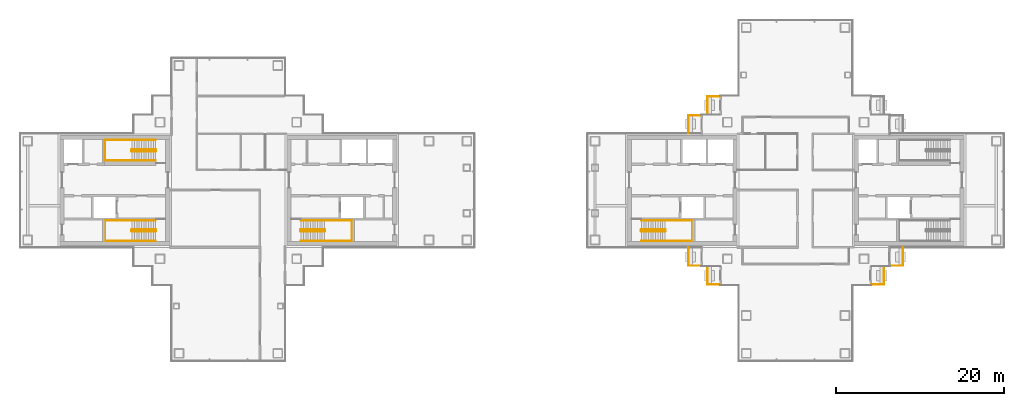
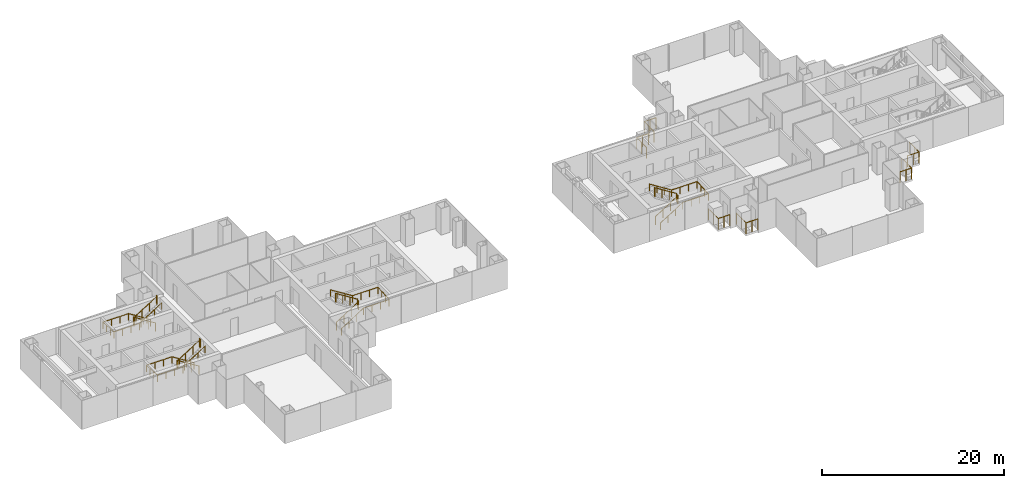
# One storey, part 14 of 16: 14 railings.
"""IFC4 building model written with IfcOpenShell, lengths in metres."""

from ifc_helpers import new_model, si_unit, direction, frame, origin, origin_2d, place, context, subcontext, project, spatial, circle, extrude, material, type_object, element, save


model = new_model("IFC4")

# Units and contexts
model_context = context("Model", 3, precision=1e-05, world=origin(), true_north=direction((0.0, 1.0)))
body_context = subcontext(model_context, "Body", "Model", "MODEL_VIEW")
ifc_project = project(units=[si_unit("LENGTHUNIT", "METRE"), si_unit("AREAUNIT", "SQUARE_METRE"), si_unit("VOLUMEUNIT", "CUBIC_METRE"), si_unit("PLANEANGLEUNIT", "RADIAN"), si_unit("MASSUNIT", "GRAM", prefix="KILO")], contexts=[model_context])

# Site, building, storey
site_placement = place(None, origin())
site = spatial("IfcSite", under=ifc_project, at=site_placement, CompositionType="ELEMENT")
building_placement = place(site_placement, origin())
building = spatial("IfcBuilding", under=site, at=building_placement, Name="Shamsa Quay Exchange Towers", CompositionType="ELEMENT")
storey_placement = place(building_placement, frame((0.0, 0.0, 138.89990234375)))
storey = spatial("IfcBuildingStorey", under=building, at=storey_placement, Name="L32", CompositionType="ELEMENT", Elevation=138.89990234375)

# Railings
ifc_material_1 = material(Name="Steel S355, black powder-coated", Category="steel")
railing_type_1 = type_object("IfcRailingType", Name="BALCONY GUARD 1500", PredefinedType="GUARDRAIL", material=ifc_material_1)
for number, where, name in (
    (1, (24.72900390625, 11.199951171875, 0.0), "Balcony guard T2-PKEN L32"),
    (2, (22.47900390625, 8.949951171875, 0.0), "Balcony guard T2-PKEN L32"),
):
    element("IfcRailing", number, at=place(storey_placement, frame(where)), inside=storey, type_object=railing_type_1, Name=name, PredefinedType="GUARDRAIL", context=body_context, shape_type="SweptSolid", body=[
        extrude(circle(Radius=0.02392578125, at=origin_2d()), frame((0.0, 0.0, 1.47607421875), z_axis=(-1.0, 0.0, 0.0), x_axis=(0.0, -1.0, 0.0)), (0.0, 0.0, 1.0), 1.47900390625),
        extrude(circle(Radius=0.02392578125, at=origin_2d()), frame((-1.47900390625, 0.0, 1.47607421875), z_axis=(0.0, -1.0, 0.0), x_axis=(1.0, 0.0, 0.0)), (0.0, 0.0, 1.0), 2.161865234375),
        extrude(circle(Radius=0.02099609375, at=origin_2d()), origin(), (0.0, 0.0, 1.0), 1.451904296875),
        extrude(circle(Radius=0.02099609375, at=origin_2d()), frame((-0.739501953125, 0.0, 0.0)), (0.0, 0.0, 1.0), 1.451904296875),
        extrude(circle(Radius=0.02099609375, at=origin_2d()), frame((-1.47900390625, 0.0, 0.0)), (0.0, 0.0, 1.0), 1.451904296875),
        extrude(circle(Radius=0.02099609375, at=origin_2d()), frame((-1.47900390625, -1.0810546875, 0.0)), (0.0, 0.0, 1.0), 1.451904296875),
        extrude(circle(Radius=0.02099609375, at=origin_2d()), frame((-1.47900390625, -2.161865234375, 0.0)), (0.0, 0.0, 1.0), 1.451904296875),
    ])
for number, where, name in (
    (3, (21.0, -6.7880859375, 0.0), "Balcony guard T2-PKWN L32"),
    (4, (23.25, -9.0380859375, 0.0), "Balcony guard T2-PKWN L32"),
):
    element("IfcRailing", number, at=place(storey_placement, frame(where)), inside=storey, type_object=railing_type_1, Name=name, PredefinedType="GUARDRAIL", context=body_context, shape_type="SweptSolid", body=[
        extrude(circle(Radius=0.02392578125, at=origin_2d()), frame((0.0, 0.0, 1.47607421875), z_axis=(0.0, -1.0, 0.0), x_axis=(1.0, 0.0, 0.0)), (0.0, 0.0, 1.0), 2.161865234375),
        extrude(circle(Radius=0.02392578125, at=origin_2d()), frame((0.0, -2.161865234375, 1.47607421875), z_axis=(1.0, 0.0, 0.0), x_axis=(0.0, 1.0, 0.0)), (0.0, 0.0, 1.0), 1.47900390625),
        extrude(circle(Radius=0.02099609375, at=origin_2d()), origin(), (0.0, 0.0, 1.0), 1.451904296875),
        extrude(circle(Radius=0.02099609375, at=origin_2d()), frame((0.0, -1.0810546875, 0.0)), (0.0, 0.0, 1.0), 1.451904296875),
        extrude(circle(Radius=0.02099609375, at=origin_2d()), frame((0.0, -2.161865234375, 0.0)), (0.0, 0.0, 1.0), 1.451904296875),
        extrude(circle(Radius=0.02099609375, at=origin_2d()), frame((0.739501953125, -2.161865234375, 0.0)), (0.0, 0.0, 1.0), 1.451904296875),
        extrude(circle(Radius=0.02099609375, at=origin_2d()), frame((1.47900390625, -2.161865234375, 0.0)), (0.0, 0.0, 1.0), 1.451904296875),
    ])
for number, where, name in (
    (5, (42.77099609375, -11.199951171875, 0.0), "Balcony guard T2-PKWS L32"),
    (6, (45.02099609375, -8.949951171875, 0.0), "Balcony guard T2-PKWS L32"),
):
    element("IfcRailing", number, at=place(storey_placement, frame(where)), inside=storey, type_object=railing_type_1, Name=name, PredefinedType="GUARDRAIL", context=body_context, shape_type="SweptSolid", body=[
        extrude(circle(Radius=0.02392578125, at=origin_2d()), frame((0.0, 0.0, 1.47607421875), z_axis=(1.0, 0.0, 0.0), x_axis=(0.0, 1.0, 0.0)), (0.0, 0.0, 1.0), 1.47900390625),
        extrude(circle(Radius=0.02392578125, at=origin_2d()), frame((1.47900390625, 0.0, 1.47607421875), z_axis=(0.0, 1.0, 0.0), x_axis=(-1.0, 0.0, 0.0)), (0.0, 0.0, 1.0), 2.161865234375),
        extrude(circle(Radius=0.02099609375, at=origin_2d()), origin(), (0.0, 0.0, 1.0), 1.451904296875),
        extrude(circle(Radius=0.02099609375, at=origin_2d()), frame((0.739501953125, 0.0, 0.0)), (0.0, 0.0, 1.0), 1.451904296875),
        extrude(circle(Radius=0.02099609375, at=origin_2d()), frame((1.47900390625, 0.0, 0.0)), (0.0, 0.0, 1.0), 1.451904296875),
        extrude(circle(Radius=0.02099609375, at=origin_2d()), frame((1.47900390625, 1.0810546875, 0.0)), (0.0, 0.0, 1.0), 1.451904296875),
        extrude(circle(Radius=0.02099609375, at=origin_2d()), frame((1.47900390625, 2.161865234375, 0.0)), (0.0, 0.0, 1.0), 1.451904296875),
    ])
ifc_material_2 = material(Name="Stainless steel", Category="steel")
railing_type_2 = type_object("IfcRailingType", Name="STAIR GUARD 1100", PredefinedType="GUARDRAIL", material=ifc_material_2)
railing_1_placement = place(storey_placement, frame((-25.10009765625, -4.89990234375, 0.177490234375)))
element("IfcRailing", 7, at=railing_1_placement, inside=storey, type_object=railing_type_2, Name="L32 ST1 stair guard 1", PredefinedType="GUARDRAIL", context=body_context, shape_type="SweptSolid", body=[
    extrude(circle(Radius=0.02392578125, at=origin_2d()), frame((0.0, 0.0, 1.076171875), z_axis=(0.844908973607, 0.0, 0.534910110503), x_axis=(0.0, 1.0, 0.0)), (0.0, 0.0, 1.0), 3.31396484375),
    extrude(circle(Radius=0.02392578125, at=origin_2d()), frame((2.800048828125, 0.0, 2.8486328125), z_axis=(0.708833529934, 0.705375805398, 0.0), x_axis=(-0.705375805398, 0.708833529934, 0.0)), (0.0, 0.0, 1.0), 0.070556640625),
    extrude(circle(Radius=0.02392578125, at=origin_2d()), frame((2.85009765625, 0.0498046875, 2.8486328125), z_axis=(0.0, 1.0, 0.0), x_axis=(-1.0, 0.0, 0.0)), (0.0, 0.0, 1.0), 0.150146484375),
    extrude(circle(Radius=0.02392578125, at=origin_2d()), frame((2.85009765625, 0.199951171875, 2.8486328125), z_axis=(-0.262233686654, 0.262233686654, 0.928691007369), x_axis=(-0.707106781187, -0.707106781187, 0.0)), (0.0, 0.0, 1.0), 0.19091796875),
    extrude(circle(Radius=0.02392578125, at=origin_2d()), frame((2.800048828125, 0.25, 3.02587890625), z_axis=(-0.844908973607, 0.0, 0.534910110503), x_axis=(0.0, -1.0, 0.0)), (0.0, 0.0, 1.0), 3.31396484375),
    extrude(circle(Radius=0.02392578125, at=origin_2d()), frame((0.0, 0.25, 4.798828125), z_axis=(-0.24142163986, -0.970420317083, 0.0), x_axis=(0.970420317083, -0.24142163986, 0.0)), (0.0, 0.0, 1.0), 0.206298828125),
    extrude(circle(Radius=0.02392578125, at=origin_2d()), frame((-0.0498046875, 0.0498046875, 4.798828125), z_axis=(0.0, 1.0, 0.0), x_axis=(-1.0, 0.0, 0.0)), (0.0, 0.0, 1.0), 0.150146484375),
    extrude(circle(Radius=0.02099609375, at=origin_2d()), origin(), (0.0, 0.0, 1.0), 1.052001953125),
    extrude(circle(Radius=0.02099609375, at=origin_2d()), frame((0.933349609375, 0.0, 0.5908203125)), (0.0, 0.0, 1.0), 1.052001953125),
    extrude(circle(Radius=0.02099609375, at=origin_2d()), frame((1.86669921875, 0.0, 1.181884765625)), (0.0, 0.0, 1.0), 1.052001953125),
    extrude(circle(Radius=0.02099609375, at=origin_2d()), frame((2.800048828125, 0.0, 1.772705078125)), (0.0, 0.0, 1.0), 1.052001953125),
    extrude(circle(Radius=0.02099609375, at=origin_2d()), frame((2.85009765625, 0.0498046875, 1.772705078125)), (0.0, 0.0, 1.0), 1.052001953125),
    extrude(circle(Radius=0.02099609375, at=origin_2d()), frame((2.85009765625, 0.199951171875, 1.772705078125)), (0.0, 0.0, 1.0), 1.052001953125),
    extrude(circle(Radius=0.02099609375, at=origin_2d()), frame((2.800048828125, 0.25, 1.949951171875)), (0.0, 0.0, 1.0), 1.052001953125),
    extrude(circle(Radius=0.02099609375, at=origin_2d()), frame((1.86669921875, 0.25, 2.540771484375)), (0.0, 0.0, 1.0), 1.052001953125),
    extrude(circle(Radius=0.02099609375, at=origin_2d()), frame((0.933349609375, 0.25, 3.1318359375)), (0.0, 0.0, 1.0), 1.052001953125),
    extrude(circle(Radius=0.02099609375, at=origin_2d()), frame((0.0, 0.25, 3.72265625)), (0.0, 0.0, 1.0), 1.052001953125),
    extrude(circle(Radius=0.02099609375, at=origin_2d()), frame((-0.0498046875, 0.0498046875, 3.72265625)), (0.0, 0.0, 1.0), 1.052001953125),
    extrude(circle(Radius=0.02099609375, at=origin_2d()), frame((-0.0498046875, 0.199951171875, 3.72265625)), (0.0, 0.0, 1.0), 1.052001953125),
])
railing_2_placement = place(storey_placement, frame((-42.39990234375, -4.64990234375, 0.177490234375)))
element("IfcRailing", 8, at=railing_2_placement, inside=storey, type_object=railing_type_2, Name="L32 ST2 stair guard 1", PredefinedType="GUARDRAIL", context=body_context, shape_type="SweptSolid", body=[
    extrude(circle(Radius=0.02392578125, at=origin_2d()), frame((0.0, 0.0, 1.076171875), z_axis=(-0.844908973607, 0.0, 0.534910110503), x_axis=(0.0, -1.0, 0.0)), (0.0, 0.0, 1.0), 3.31396484375),
    extrude(circle(Radius=0.02392578125, at=origin_2d()), frame((-2.800048828125, 0.0, 2.8486328125), z_axis=(-0.707106781187, -0.707106781187, 0.0), x_axis=(0.707106781187, -0.707106781187, 0.0)), (0.0, 0.0, 1.0), 0.07080078125),
    extrude(circle(Radius=0.02392578125, at=origin_2d()), frame((-2.85009765625, -0.050048828125, 2.8486328125), z_axis=(0.0, -1.0, 0.0), x_axis=(1.0, 0.0, 0.0)), (0.0, 0.0, 1.0), 0.150146484375),
    extrude(circle(Radius=0.02392578125, at=origin_2d()), frame((-2.85009765625, -0.2001953125, 2.8486328125), z_axis=(0.262321481514, -0.261041864531, 0.929001929653), x_axis=(0.705375805398, 0.708833529934, 0.0)), (0.0, 0.0, 1.0), 0.190673828125),
    extrude(circle(Radius=0.02392578125, at=origin_2d()), frame((-2.800048828125, -0.25, 3.02587890625), z_axis=(0.844908973607, 0.0, 0.534910110503), x_axis=(0.0, 1.0, 0.0)), (0.0, 0.0, 1.0), 3.31396484375),
    extrude(circle(Radius=0.02392578125, at=origin_2d()), frame((0.0, -0.25, 4.798828125), z_axis=(0.241699205484, 0.970351222016, 0.0), x_axis=(-0.970351222016, 0.241699205484, 0.0)), (0.0, 0.0, 1.0), 0.2060546875),
    extrude(circle(Radius=0.02392578125, at=origin_2d()), frame((0.0498046875, -0.050048828125, 4.798828125), z_axis=(0.0, -1.0, 0.0), x_axis=(1.0, 0.0, 0.0)), (0.0, 0.0, 1.0), 0.150146484375),
    extrude(circle(Radius=0.02099609375, at=origin_2d()), origin(), (0.0, 0.0, 1.0), 1.052001953125),
    extrude(circle(Radius=0.02099609375, at=origin_2d()), frame((-0.933349609375, 0.0, 0.5908203125)), (0.0, 0.0, 1.0), 1.052001953125),
    extrude(circle(Radius=0.02099609375, at=origin_2d()), frame((-1.86669921875, 0.0, 1.181884765625)), (0.0, 0.0, 1.0), 1.052001953125),
    extrude(circle(Radius=0.02099609375, at=origin_2d()), frame((-2.800048828125, 0.0, 1.772705078125)), (0.0, 0.0, 1.0), 1.052001953125),
    extrude(circle(Radius=0.02099609375, at=origin_2d()), frame((-2.85009765625, -0.050048828125, 1.772705078125)), (0.0, 0.0, 1.0), 1.052001953125),
    extrude(circle(Radius=0.02099609375, at=origin_2d()), frame((-2.85009765625, -0.2001953125, 1.772705078125)), (0.0, 0.0, 1.0), 1.052001953125),
    extrude(circle(Radius=0.02099609375, at=origin_2d()), frame((-2.800048828125, -0.25, 1.949951171875)), (0.0, 0.0, 1.0), 1.052001953125),
    extrude(circle(Radius=0.02099609375, at=origin_2d()), frame((-1.86669921875, -0.25, 2.540771484375)), (0.0, 0.0, 1.0), 1.052001953125),
    extrude(circle(Radius=0.02099609375, at=origin_2d()), frame((-0.933349609375, -0.25, 3.1318359375)), (0.0, 0.0, 1.0), 1.052001953125),
    extrude(circle(Radius=0.02099609375, at=origin_2d()), frame((0.0, -0.25, 3.72265625)), (0.0, 0.0, 1.0), 1.052001953125),
    extrude(circle(Radius=0.02099609375, at=origin_2d()), frame((0.0498046875, -0.050048828125, 3.72265625)), (0.0, 0.0, 1.0), 1.052001953125),
    extrude(circle(Radius=0.02099609375, at=origin_2d()), frame((0.0498046875, -0.2001953125, 3.72265625)), (0.0, 0.0, 1.0), 1.052001953125),
])
railing_3_placement = place(storey_placement, frame((-42.39990234375, 4.89990234375, 0.177490234375)))
element("IfcRailing", 9, at=railing_3_placement, inside=storey, type_object=railing_type_2, Name="L32 ST3 stair guard 1", PredefinedType="GUARDRAIL", context=body_context, shape_type="SweptSolid", body=[
    extrude(circle(Radius=0.02392578125, at=origin_2d()), frame((0.0, 0.0, 1.076171875), z_axis=(-0.844908973607, 0.0, 0.534910110503), x_axis=(0.0, -1.0, 0.0)), (0.0, 0.0, 1.0), 3.31396484375),
    extrude(circle(Radius=0.02392578125, at=origin_2d()), frame((-2.800048828125, 0.0, 2.8486328125), z_axis=(-0.708833529934, -0.705375805398, 0.0), x_axis=(0.705375805398, -0.708833529934, 0.0)), (0.0, 0.0, 1.0), 0.070556640625),
    extrude(circle(Radius=0.02392578125, at=origin_2d()), frame((-2.85009765625, -0.0498046875, 2.8486328125), z_axis=(0.0, -1.0, 0.0), x_axis=(1.0, 0.0, 0.0)), (0.0, 0.0, 1.0), 0.150146484375),
    extrude(circle(Radius=0.02392578125, at=origin_2d()), frame((-2.85009765625, -0.199951171875, 2.8486328125), z_axis=(0.262233686654, -0.262233686654, 0.928691007369), x_axis=(0.707106781187, 0.707106781187, 0.0)), (0.0, 0.0, 1.0), 0.19091796875),
    extrude(circle(Radius=0.02392578125, at=origin_2d()), frame((-2.800048828125, -0.25, 3.02587890625), z_axis=(0.844908973607, 0.0, 0.534910110503), x_axis=(0.0, 1.0, 0.0)), (0.0, 0.0, 1.0), 3.31396484375),
    extrude(circle(Radius=0.02392578125, at=origin_2d()), frame((0.0, -0.25, 4.798828125), z_axis=(0.24142163986, 0.970420317083, 0.0), x_axis=(-0.970420317083, 0.24142163986, 0.0)), (0.0, 0.0, 1.0), 0.206298828125),
    extrude(circle(Radius=0.02392578125, at=origin_2d()), frame((0.0498046875, -0.0498046875, 4.798828125), z_axis=(0.0, -1.0, 0.0), x_axis=(1.0, 0.0, 0.0)), (0.0, 0.0, 1.0), 0.150146484375),
    extrude(circle(Radius=0.02099609375, at=origin_2d()), origin(), (0.0, 0.0, 1.0), 1.052001953125),
    extrude(circle(Radius=0.02099609375, at=origin_2d()), frame((-0.933349609375, 0.0, 0.5908203125)), (0.0, 0.0, 1.0), 1.052001953125),
    extrude(circle(Radius=0.02099609375, at=origin_2d()), frame((-1.86669921875, 0.0, 1.181884765625)), (0.0, 0.0, 1.0), 1.052001953125),
    extrude(circle(Radius=0.02099609375, at=origin_2d()), frame((-2.800048828125, 0.0, 1.772705078125)), (0.0, 0.0, 1.0), 1.052001953125),
    extrude(circle(Radius=0.02099609375, at=origin_2d()), frame((-2.85009765625, -0.0498046875, 1.772705078125)), (0.0, 0.0, 1.0), 1.052001953125),
    extrude(circle(Radius=0.02099609375, at=origin_2d()), frame((-2.85009765625, -0.199951171875, 1.772705078125)), (0.0, 0.0, 1.0), 1.052001953125),
    extrude(circle(Radius=0.02099609375, at=origin_2d()), frame((-2.800048828125, -0.25, 1.949951171875)), (0.0, 0.0, 1.0), 1.052001953125),
    extrude(circle(Radius=0.02099609375, at=origin_2d()), frame((-1.86669921875, -0.25, 2.540771484375)), (0.0, 0.0, 1.0), 1.052001953125),
    extrude(circle(Radius=0.02099609375, at=origin_2d()), frame((-0.933349609375, -0.25, 3.1318359375)), (0.0, 0.0, 1.0), 1.052001953125),
    extrude(circle(Radius=0.02099609375, at=origin_2d()), frame((0.0, -0.25, 3.72265625)), (0.0, 0.0, 1.0), 1.052001953125),
    extrude(circle(Radius=0.02099609375, at=origin_2d()), frame((0.0498046875, -0.0498046875, 3.72265625)), (0.0, 0.0, 1.0), 1.052001953125),
    extrude(circle(Radius=0.02099609375, at=origin_2d()), frame((0.0498046875, -0.199951171875, 3.72265625)), (0.0, 0.0, 1.0), 1.052001953125),
])
railing_4_placement = place(storey_placement, frame((15.39990234375, -4.89990234375, 0.177490234375)))
element("IfcRailing", 10, at=railing_4_placement, inside=storey, type_object=railing_type_2, Name="L32 ST4 stair guard 1", PredefinedType="GUARDRAIL", context=body_context, shape_type="SweptSolid", body=[
    extrude(circle(Radius=0.02392578125, at=origin_2d()), frame((0.0, 0.0, 1.076171875), z_axis=(0.844908973607, 0.0, 0.534910110503), x_axis=(0.0, 1.0, 0.0)), (0.0, 0.0, 1.0), 3.31396484375),
    extrude(circle(Radius=0.02392578125, at=origin_2d()), frame((2.800048828125, 0.0, 2.8486328125), z_axis=(0.708833529934, 0.705375805398, 0.0), x_axis=(-0.705375805398, 0.708833529934, 0.0)), (0.0, 0.0, 1.0), 0.070556640625),
    extrude(circle(Radius=0.02392578125, at=origin_2d()), frame((2.85009765625, 0.0498046875, 2.8486328125), z_axis=(0.0, 1.0, 0.0), x_axis=(-1.0, 0.0, 0.0)), (0.0, 0.0, 1.0), 0.150146484375),
    extrude(circle(Radius=0.02392578125, at=origin_2d()), frame((2.85009765625, 0.199951171875, 2.8486328125), z_axis=(-0.262233686654, 0.262233686654, 0.928691007369), x_axis=(-0.707106781187, -0.707106781187, 0.0)), (0.0, 0.0, 1.0), 0.19091796875),
    extrude(circle(Radius=0.02392578125, at=origin_2d()), frame((2.800048828125, 0.25, 3.02587890625), z_axis=(-0.844908973607, 0.0, 0.534910110503), x_axis=(0.0, -1.0, 0.0)), (0.0, 0.0, 1.0), 3.31396484375),
    extrude(circle(Radius=0.02392578125, at=origin_2d()), frame((0.0, 0.25, 4.798828125), z_axis=(-0.24142163986, -0.970420317083, 0.0), x_axis=(0.970420317083, -0.24142163986, 0.0)), (0.0, 0.0, 1.0), 0.206298828125),
    extrude(circle(Radius=0.02392578125, at=origin_2d()), frame((-0.0498046875, 0.0498046875, 4.798828125), z_axis=(0.0, 1.0, 0.0), x_axis=(-1.0, 0.0, 0.0)), (0.0, 0.0, 1.0), 0.150146484375),
    extrude(circle(Radius=0.02099609375, at=origin_2d()), origin(), (0.0, 0.0, 1.0), 1.052001953125),
    extrude(circle(Radius=0.02099609375, at=origin_2d()), frame((0.933349609375, 0.0, 0.5908203125)), (0.0, 0.0, 1.0), 1.052001953125),
    extrude(circle(Radius=0.02099609375, at=origin_2d()), frame((1.86669921875, 0.0, 1.181884765625)), (0.0, 0.0, 1.0), 1.052001953125),
    extrude(circle(Radius=0.02099609375, at=origin_2d()), frame((2.800048828125, 0.0, 1.772705078125)), (0.0, 0.0, 1.0), 1.052001953125),
    extrude(circle(Radius=0.02099609375, at=origin_2d()), frame((2.85009765625, 0.0498046875, 1.772705078125)), (0.0, 0.0, 1.0), 1.052001953125),
    extrude(circle(Radius=0.02099609375, at=origin_2d()), frame((2.85009765625, 0.199951171875, 1.772705078125)), (0.0, 0.0, 1.0), 1.052001953125),
    extrude(circle(Radius=0.02099609375, at=origin_2d()), frame((2.800048828125, 0.25, 1.949951171875)), (0.0, 0.0, 1.0), 1.052001953125),
    extrude(circle(Radius=0.02099609375, at=origin_2d()), frame((1.86669921875, 0.25, 2.540771484375)), (0.0, 0.0, 1.0), 1.052001953125),
    extrude(circle(Radius=0.02099609375, at=origin_2d()), frame((0.933349609375, 0.25, 3.1318359375)), (0.0, 0.0, 1.0), 1.052001953125),
    extrude(circle(Radius=0.02099609375, at=origin_2d()), frame((0.0, 0.25, 3.72265625)), (0.0, 0.0, 1.0), 1.052001953125),
    extrude(circle(Radius=0.02099609375, at=origin_2d()), frame((-0.0498046875, 0.0498046875, 3.72265625)), (0.0, 0.0, 1.0), 1.052001953125),
    extrude(circle(Radius=0.02099609375, at=origin_2d()), frame((-0.0498046875, 0.199951171875, 3.72265625)), (0.0, 0.0, 1.0), 1.052001953125),
])
railing_type_3 = type_object("IfcRailingType", Name="STAIR HANDRAIL 900", PredefinedType="HANDRAIL", material=ifc_material_2)
railing_5_placement = place(storey_placement, frame((-25.10009765625, -6.0, 0.177490234375)))
element("IfcRailing", 11, at=railing_5_placement, inside=storey, type_object=railing_type_3, Name="L32 ST1 stair handrail 1", PredefinedType="HANDRAIL", context=body_context, shape_type="SweptSolid", body=[
    extrude(circle(Radius=0.02392578125, at=origin_2d()), frame((0.0, 0.0, 0.8759765625), z_axis=(0.844908973607, 0.0, 0.534910110503), x_axis=(0.0, 1.0, 0.0)), (0.0, 0.0, 1.0), 3.31396484375),
    extrude(circle(Radius=0.02392578125, at=origin_2d()), frame((2.800048828125, 0.0, 2.6484375), z_axis=(1.0, 0.0, 0.0), x_axis=(0.0, 1.0, 0.0)), (0.0, 0.0, 1.0), 3.25),
    extrude(circle(Radius=0.02392578125, at=origin_2d()), frame((6.050048828125, 0.0, 2.6484375), z_axis=(0.0, 0.997393199914, 0.07215819264), x_axis=(-1.0, 0.0, 0.0)), (0.0, 0.0, 1.0), 2.456298828125),
    extrude(circle(Radius=0.02392578125, at=origin_2d()), frame((6.050048828125, 2.449951171875, 2.82568359375), z_axis=(-1.0, 0.0, 0.0), x_axis=(0.0, -1.0, 0.0)), (0.0, 0.0, 1.0), 3.25),
    extrude(circle(Radius=0.02392578125, at=origin_2d()), frame((2.800048828125, 2.449951171875, 2.82568359375), z_axis=(-0.844908973607, 0.0, 0.534910110503), x_axis=(0.0, -1.0, 0.0)), (0.0, 0.0, 1.0), 3.31396484375),
    extrude(circle(Radius=0.02099609375, at=origin_2d()), origin(), (0.0, 0.0, 1.0), 0.851806640625),
    extrude(circle(Radius=0.02099609375, at=origin_2d()), frame((0.933349609375, 0.0, 0.5908203125)), (0.0, 0.0, 1.0), 0.851806640625),
    extrude(circle(Radius=0.02099609375, at=origin_2d()), frame((1.86669921875, 0.0, 1.181884765625)), (0.0, 0.0, 1.0), 0.851806640625),
    extrude(circle(Radius=0.02099609375, at=origin_2d()), frame((2.800048828125, 0.0, 1.772705078125)), (0.0, 0.0, 1.0), 0.851806640625),
    extrude(circle(Radius=0.02099609375, at=origin_2d()), frame((3.88330078125, 0.0, 1.772705078125)), (0.0, 0.0, 1.0), 0.851806640625),
    extrude(circle(Radius=0.02099609375, at=origin_2d()), frame((4.966796875, 0.0, 1.772705078125)), (0.0, 0.0, 1.0), 0.851806640625),
    extrude(circle(Radius=0.02099609375, at=origin_2d()), frame((6.050048828125, 0.0, 1.772705078125)), (0.0, 0.0, 1.0), 0.851806640625),
    extrude(circle(Radius=0.02099609375, at=origin_2d()), frame((6.050048828125, 0.816650390625, 1.831787109375)), (0.0, 0.0, 1.0), 0.851806640625),
    extrude(circle(Radius=0.02099609375, at=origin_2d()), frame((6.050048828125, 1.63330078125, 1.890869140625)), (0.0, 0.0, 1.0), 0.851806640625),
    extrude(circle(Radius=0.02099609375, at=origin_2d()), frame((6.050048828125, 2.449951171875, 1.949951171875)), (0.0, 0.0, 1.0), 0.851806640625),
    extrude(circle(Radius=0.02099609375, at=origin_2d()), frame((4.966796875, 2.449951171875, 1.949951171875)), (0.0, 0.0, 1.0), 0.851806640625),
    extrude(circle(Radius=0.02099609375, at=origin_2d()), frame((3.88330078125, 2.449951171875, 1.949951171875)), (0.0, 0.0, 1.0), 0.851806640625),
    extrude(circle(Radius=0.02099609375, at=origin_2d()), frame((2.800048828125, 2.449951171875, 1.949951171875)), (0.0, 0.0, 1.0), 0.851806640625),
    extrude(circle(Radius=0.02099609375, at=origin_2d()), frame((1.86669921875, 2.449951171875, 2.540771484375)), (0.0, 0.0, 1.0), 0.851806640625),
    extrude(circle(Radius=0.02099609375, at=origin_2d()), frame((0.933349609375, 2.449951171875, 3.1318359375)), (0.0, 0.0, 1.0), 0.851806640625),
    extrude(circle(Radius=0.02099609375, at=origin_2d()), frame((0.0, 2.449951171875, 3.72265625)), (0.0, 0.0, 1.0), 0.851806640625),
])
railing_6_placement = place(storey_placement, frame((-42.39990234375, -3.550048828125, 0.177490234375)))
element("IfcRailing", 12, at=railing_6_placement, inside=storey, type_object=railing_type_3, Name="L32 ST2 stair handrail 1", PredefinedType="HANDRAIL", context=body_context, shape_type="SweptSolid", body=[
    extrude(circle(Radius=0.02392578125, at=origin_2d()), frame((0.0, 0.0, 0.8759765625), z_axis=(-0.844908973607, 0.0, 0.534910110503), x_axis=(0.0, -1.0, 0.0)), (0.0, 0.0, 1.0), 3.31396484375),
    extrude(circle(Radius=0.02392578125, at=origin_2d()), frame((-2.800048828125, 0.0, 2.6484375), z_axis=(-1.0, 0.0, 0.0), x_axis=(0.0, -1.0, 0.0)), (0.0, 0.0, 1.0), 3.25),
    extrude(circle(Radius=0.02392578125, at=origin_2d()), frame((-6.050048828125, 0.0, 2.6484375), z_axis=(0.0, -0.997393199914, 0.07215819264), x_axis=(1.0, 0.0, 0.0)), (0.0, 0.0, 1.0), 2.456298828125),
    extrude(circle(Radius=0.02392578125, at=origin_2d()), frame((-6.050048828125, -2.449951171875, 2.82568359375), z_axis=(1.0, 0.0, 0.0), x_axis=(0.0, 1.0, 0.0)), (0.0, 0.0, 1.0), 3.25),
    extrude(circle(Radius=0.02392578125, at=origin_2d()), frame((-2.800048828125, -2.449951171875, 2.82568359375), z_axis=(0.844908973607, 0.0, 0.534910110503), x_axis=(0.0, 1.0, 0.0)), (0.0, 0.0, 1.0), 3.31396484375),
    extrude(circle(Radius=0.02099609375, at=origin_2d()), origin(), (0.0, 0.0, 1.0), 0.851806640625),
    extrude(circle(Radius=0.02099609375, at=origin_2d()), frame((-0.933349609375, 0.0, 0.5908203125)), (0.0, 0.0, 1.0), 0.851806640625),
    extrude(circle(Radius=0.02099609375, at=origin_2d()), frame((-1.86669921875, 0.0, 1.181884765625)), (0.0, 0.0, 1.0), 0.851806640625),
    extrude(circle(Radius=0.02099609375, at=origin_2d()), frame((-2.800048828125, 0.0, 1.772705078125)), (0.0, 0.0, 1.0), 0.851806640625),
    extrude(circle(Radius=0.02099609375, at=origin_2d()), frame((-3.88330078125, 0.0, 1.772705078125)), (0.0, 0.0, 1.0), 0.851806640625),
    extrude(circle(Radius=0.02099609375, at=origin_2d()), frame((-4.966796875, 0.0, 1.772705078125)), (0.0, 0.0, 1.0), 0.851806640625),
    extrude(circle(Radius=0.02099609375, at=origin_2d()), frame((-6.050048828125, 0.0, 1.772705078125)), (0.0, 0.0, 1.0), 0.851806640625),
    extrude(circle(Radius=0.02099609375, at=origin_2d()), frame((-6.050048828125, -0.816650390625, 1.831787109375)), (0.0, 0.0, 1.0), 0.851806640625),
    extrude(circle(Radius=0.02099609375, at=origin_2d()), frame((-6.050048828125, -1.63330078125, 1.890869140625)), (0.0, 0.0, 1.0), 0.851806640625),
    extrude(circle(Radius=0.02099609375, at=origin_2d()), frame((-6.050048828125, -2.449951171875, 1.949951171875)), (0.0, 0.0, 1.0), 0.851806640625),
    extrude(circle(Radius=0.02099609375, at=origin_2d()), frame((-4.966796875, -2.449951171875, 1.949951171875)), (0.0, 0.0, 1.0), 0.851806640625),
    extrude(circle(Radius=0.02099609375, at=origin_2d()), frame((-3.88330078125, -2.449951171875, 1.949951171875)), (0.0, 0.0, 1.0), 0.851806640625),
    extrude(circle(Radius=0.02099609375, at=origin_2d()), frame((-2.800048828125, -2.449951171875, 1.949951171875)), (0.0, 0.0, 1.0), 0.851806640625),
    extrude(circle(Radius=0.02099609375, at=origin_2d()), frame((-1.86669921875, -2.449951171875, 2.540771484375)), (0.0, 0.0, 1.0), 0.851806640625),
    extrude(circle(Radius=0.02099609375, at=origin_2d()), frame((-0.933349609375, -2.449951171875, 3.1318359375)), (0.0, 0.0, 1.0), 0.851806640625),
    extrude(circle(Radius=0.02099609375, at=origin_2d()), frame((0.0, -2.449951171875, 3.72265625)), (0.0, 0.0, 1.0), 0.851806640625),
])
railing_7_placement = place(storey_placement, frame((-42.39990234375, 6.0, 0.177490234375)))
element("IfcRailing", 13, at=railing_7_placement, inside=storey, type_object=railing_type_3, Name="L32 ST3 stair handrail 1", PredefinedType="HANDRAIL", context=body_context, shape_type="SweptSolid", body=[
    extrude(circle(Radius=0.02392578125, at=origin_2d()), frame((0.0, 0.0, 0.8759765625), z_axis=(-0.844908973607, 0.0, 0.534910110503), x_axis=(0.0, -1.0, 0.0)), (0.0, 0.0, 1.0), 3.31396484375),
    extrude(circle(Radius=0.02392578125, at=origin_2d()), frame((-2.800048828125, 0.0, 2.6484375), z_axis=(-1.0, 0.0, 0.0), x_axis=(0.0, -1.0, 0.0)), (0.0, 0.0, 1.0), 3.25),
    extrude(circle(Radius=0.02392578125, at=origin_2d()), frame((-6.050048828125, 0.0, 2.6484375), z_axis=(0.0, -0.997393199914, 0.07215819264), x_axis=(1.0, 0.0, 0.0)), (0.0, 0.0, 1.0), 2.456298828125),
    extrude(circle(Radius=0.02392578125, at=origin_2d()), frame((-6.050048828125, -2.449951171875, 2.82568359375), z_axis=(1.0, 0.0, 0.0), x_axis=(0.0, 1.0, 0.0)), (0.0, 0.0, 1.0), 3.25),
    extrude(circle(Radius=0.02392578125, at=origin_2d()), frame((-2.800048828125, -2.449951171875, 2.82568359375), z_axis=(0.844908973607, 0.0, 0.534910110503), x_axis=(0.0, 1.0, 0.0)), (0.0, 0.0, 1.0), 3.31396484375),
    extrude(circle(Radius=0.02099609375, at=origin_2d()), origin(), (0.0, 0.0, 1.0), 0.851806640625),
    extrude(circle(Radius=0.02099609375, at=origin_2d()), frame((-0.933349609375, 0.0, 0.5908203125)), (0.0, 0.0, 1.0), 0.851806640625),
    extrude(circle(Radius=0.02099609375, at=origin_2d()), frame((-1.86669921875, 0.0, 1.181884765625)), (0.0, 0.0, 1.0), 0.851806640625),
    extrude(circle(Radius=0.02099609375, at=origin_2d()), frame((-2.800048828125, 0.0, 1.772705078125)), (0.0, 0.0, 1.0), 0.851806640625),
    extrude(circle(Radius=0.02099609375, at=origin_2d()), frame((-3.88330078125, 0.0, 1.772705078125)), (0.0, 0.0, 1.0), 0.851806640625),
    extrude(circle(Radius=0.02099609375, at=origin_2d()), frame((-4.966796875, 0.0, 1.772705078125)), (0.0, 0.0, 1.0), 0.851806640625),
    extrude(circle(Radius=0.02099609375, at=origin_2d()), frame((-6.050048828125, 0.0, 1.772705078125)), (0.0, 0.0, 1.0), 0.851806640625),
    extrude(circle(Radius=0.02099609375, at=origin_2d()), frame((-6.050048828125, -0.816650390625, 1.831787109375)), (0.0, 0.0, 1.0), 0.851806640625),
    extrude(circle(Radius=0.02099609375, at=origin_2d()), frame((-6.050048828125, -1.63330078125, 1.890869140625)), (0.0, 0.0, 1.0), 0.851806640625),
    extrude(circle(Radius=0.02099609375, at=origin_2d()), frame((-6.050048828125, -2.449951171875, 1.949951171875)), (0.0, 0.0, 1.0), 0.851806640625),
    extrude(circle(Radius=0.02099609375, at=origin_2d()), frame((-4.966796875, -2.449951171875, 1.949951171875)), (0.0, 0.0, 1.0), 0.851806640625),
    extrude(circle(Radius=0.02099609375, at=origin_2d()), frame((-3.88330078125, -2.449951171875, 1.949951171875)), (0.0, 0.0, 1.0), 0.851806640625),
    extrude(circle(Radius=0.02099609375, at=origin_2d()), frame((-2.800048828125, -2.449951171875, 1.949951171875)), (0.0, 0.0, 1.0), 0.851806640625),
    extrude(circle(Radius=0.02099609375, at=origin_2d()), frame((-1.86669921875, -2.449951171875, 2.540771484375)), (0.0, 0.0, 1.0), 0.851806640625),
    extrude(circle(Radius=0.02099609375, at=origin_2d()), frame((-0.933349609375, -2.449951171875, 3.1318359375)), (0.0, 0.0, 1.0), 0.851806640625),
    extrude(circle(Radius=0.02099609375, at=origin_2d()), frame((0.0, -2.449951171875, 3.72265625)), (0.0, 0.0, 1.0), 0.851806640625),
])
railing_8_placement = place(storey_placement, frame((15.39990234375, -6.0, 0.177490234375)))
element("IfcRailing", 14, at=railing_8_placement, inside=storey, type_object=railing_type_3, Name="L32 ST4 stair handrail 1", PredefinedType="HANDRAIL", context=body_context, shape_type="SweptSolid", body=[
    extrude(circle(Radius=0.02392578125, at=origin_2d()), frame((0.0, 0.0, 0.8759765625), z_axis=(0.844908973607, 0.0, 0.534910110503), x_axis=(0.0, 1.0, 0.0)), (0.0, 0.0, 1.0), 3.31396484375),
    extrude(circle(Radius=0.02392578125, at=origin_2d()), frame((2.800048828125, 0.0, 2.6484375), z_axis=(1.0, 0.0, 0.0), x_axis=(0.0, 1.0, 0.0)), (0.0, 0.0, 1.0), 3.25),
    extrude(circle(Radius=0.02392578125, at=origin_2d()), frame((6.050048828125, 0.0, 2.6484375), z_axis=(0.0, 0.997393199914, 0.07215819264), x_axis=(-1.0, 0.0, 0.0)), (0.0, 0.0, 1.0), 2.456298828125),
    extrude(circle(Radius=0.02392578125, at=origin_2d()), frame((6.050048828125, 2.449951171875, 2.82568359375), z_axis=(-1.0, 0.0, 0.0), x_axis=(0.0, -1.0, 0.0)), (0.0, 0.0, 1.0), 3.25),
    extrude(circle(Radius=0.02392578125, at=origin_2d()), frame((2.800048828125, 2.449951171875, 2.82568359375), z_axis=(-0.844908973607, 0.0, 0.534910110503), x_axis=(0.0, -1.0, 0.0)), (0.0, 0.0, 1.0), 3.31396484375),
    extrude(circle(Radius=0.02099609375, at=origin_2d()), origin(), (0.0, 0.0, 1.0), 0.851806640625),
    extrude(circle(Radius=0.02099609375, at=origin_2d()), frame((0.933349609375, 0.0, 0.5908203125)), (0.0, 0.0, 1.0), 0.851806640625),
    extrude(circle(Radius=0.02099609375, at=origin_2d()), frame((1.86669921875, 0.0, 1.181884765625)), (0.0, 0.0, 1.0), 0.851806640625),
    extrude(circle(Radius=0.02099609375, at=origin_2d()), frame((2.800048828125, 0.0, 1.772705078125)), (0.0, 0.0, 1.0), 0.851806640625),
    extrude(circle(Radius=0.02099609375, at=origin_2d()), frame((3.88330078125, 0.0, 1.772705078125)), (0.0, 0.0, 1.0), 0.851806640625),
    extrude(circle(Radius=0.02099609375, at=origin_2d()), frame((4.966796875, 0.0, 1.772705078125)), (0.0, 0.0, 1.0), 0.851806640625),
    extrude(circle(Radius=0.02099609375, at=origin_2d()), frame((6.050048828125, 0.0, 1.772705078125)), (0.0, 0.0, 1.0), 0.851806640625),
    extrude(circle(Radius=0.02099609375, at=origin_2d()), frame((6.050048828125, 0.816650390625, 1.831787109375)), (0.0, 0.0, 1.0), 0.851806640625),
    extrude(circle(Radius=0.02099609375, at=origin_2d()), frame((6.050048828125, 1.63330078125, 1.890869140625)), (0.0, 0.0, 1.0), 0.851806640625),
    extrude(circle(Radius=0.02099609375, at=origin_2d()), frame((6.050048828125, 2.449951171875, 1.949951171875)), (0.0, 0.0, 1.0), 0.851806640625),
    extrude(circle(Radius=0.02099609375, at=origin_2d()), frame((4.966796875, 2.449951171875, 1.949951171875)), (0.0, 0.0, 1.0), 0.851806640625),
    extrude(circle(Radius=0.02099609375, at=origin_2d()), frame((3.88330078125, 2.449951171875, 1.949951171875)), (0.0, 0.0, 1.0), 0.851806640625),
    extrude(circle(Radius=0.02099609375, at=origin_2d()), frame((2.800048828125, 2.449951171875, 1.949951171875)), (0.0, 0.0, 1.0), 0.851806640625),
    extrude(circle(Radius=0.02099609375, at=origin_2d()), frame((1.86669921875, 2.449951171875, 2.540771484375)), (0.0, 0.0, 1.0), 0.851806640625),
    extrude(circle(Radius=0.02099609375, at=origin_2d()), frame((0.933349609375, 2.449951171875, 3.1318359375)), (0.0, 0.0, 1.0), 0.851806640625),
    extrude(circle(Radius=0.02099609375, at=origin_2d()), frame((0.0, 2.449951171875, 3.72265625)), (0.0, 0.0, 1.0), 0.851806640625),
])

save(model, "model.ifc")
